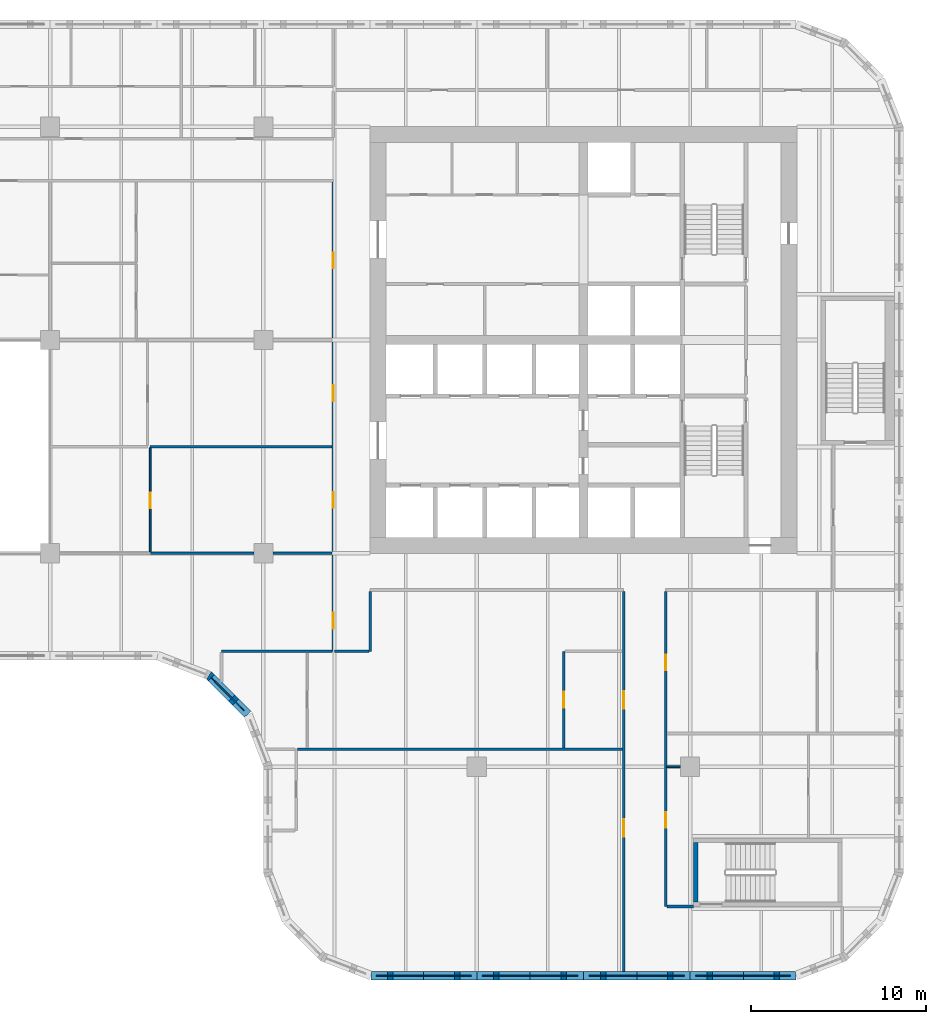
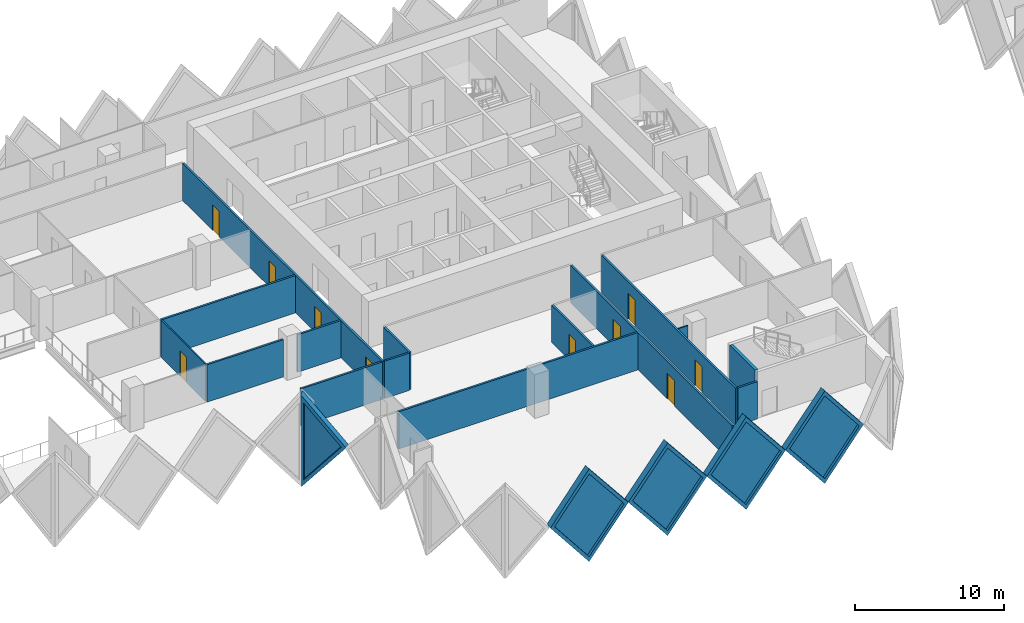
# One storey, part 5 of 18: 20 walls, 10 doors, 5 plates, 15 openings.
"""IFC4 building model written with IfcOpenShell, lengths in metres."""

import ifcopenshell
import ifcopenshell.guid

model = None  # the IFC model being written
_history = None  # IfcOwnerHistory: only IFC2X3 demands one
_inside = {}  # id of a spatial element -> (the spatial element, [elements in it])
_under = {}  # id of a project, library or spatial element -> (it, [spatial elements below it])
_declared = {}  # id of a project -> (the project, [libraries it declares])
_typed = {}  # id of a type object -> (the type object, [elements of that type])
_made_of = {}  # id of a material, layer set ... -> (it, [elements and type objects made of it])


def new_model(schema):
    """Start an empty IFC model of exactly this schema.

    Asked for "IFC4X3", IfcOpenShell would pick the latest addendum, in which some entities
    have other attributes; the version numbers below select the first issue.
    IFC2X3 requires an IfcOwnerHistory on every rooted entity: one is made here for all.
    """
    global model, _history
    if schema == "IFC4X3":
        model = ifcopenshell.file(schema_version=(4, 3, 0, 0))
    else:
        model = ifcopenshell.file(schema=schema)
    _inside.clear()
    _under.clear()
    _declared.clear()
    _typed.clear()
    _made_of.clear()
    _history = None
    if model.schema == "IFC2X3":
        org = make("IfcOrganization", Name="unknown")
        user = make(
            "IfcPersonAndOrganization",
            ThePerson=make("IfcPerson", FamilyName="unknown"),
            TheOrganization=org,
        )
        app = make(
            "IfcApplication",
            ApplicationDeveloper=org,
            Version="unknown",
            ApplicationFullName="unknown",
            ApplicationIdentifier="unknown",
        )
        _history = make(
            "IfcOwnerHistory",
            OwningUser=user,
            OwningApplication=app,
            ChangeAction="ADDED",
            CreationDate=0,
        )
    return model


def make(cls, **values):
    """One entity of the class cls with the attributes given. An attribute that is None is left unset."""
    return model.create_entity(
        cls, **{name: value for name, value in values.items() if value is not None}
    )


def rooted(cls, **values):
    """An entity with a GlobalId (a new one), such as an element, a storey or a relation."""
    return make(cls, GlobalId=ifcopenshell.guid.new(), OwnerHistory=_history, **values)


def si_unit(unit_type, name, prefix=None):
    """IfcSIUnit, for example si_unit("LENGTHUNIT", "METRE", prefix="MILLI")."""
    return make("IfcSIUnit", UnitType=unit_type, Prefix=prefix, Name=name)


def assignment(units):
    """IfcUnitAssignment: the units of a project."""
    return None if units is None else make("IfcUnitAssignment", Units=units)


def point(xyz):
    """IfcCartesianPoint."""
    return None if xyz is None else make("IfcCartesianPoint", Coordinates=xyz)


def direction(xyz):
    """IfcDirection."""
    return None if xyz is None else make("IfcDirection", DirectionRatios=xyz)


def frame(location, z_axis=None, x_axis=None):
    """IfcAxis2Placement3D, a coordinate frame: its origin and axes. An axis left out is left unset."""
    return make(
        "IfcAxis2Placement3D",
        Location=point(location),
        Axis=direction(z_axis),
        RefDirection=direction(x_axis),
    )


def frame_2d(location, x_axis=None):
    """IfcAxis2Placement2D, a coordinate frame in the plane: its origin and x axis."""
    return make(
        "IfcAxis2Placement2D", Location=point(location), RefDirection=direction(x_axis)
    )


def origin():
    """The frame at (0, 0, 0) with its axes left unset."""
    return frame((0.0, 0.0, 0.0))


def place(relative_to, where):
    """IfcLocalPlacement: puts the frame where relative to a parent placement (None: the world)."""
    return make(
        "IfcLocalPlacement", PlacementRelTo=relative_to, RelativePlacement=where
    )


def context(
    kind, dimensions, precision=None, world=None, true_north=None, identifier=None
):
    """IfcGeometricRepresentationContext, for example the 3D "Model" context."""
    return make(
        "IfcGeometricRepresentationContext",
        ContextIdentifier=identifier,
        ContextType=kind,
        CoordinateSpaceDimension=dimensions,
        Precision=precision,
        WorldCoordinateSystem=world,
        TrueNorth=true_north,
    )


def subcontext(parent, identifier, kind, view, scale=None):
    """IfcGeometricRepresentationSubContext, for example "Body" below "Model"."""
    return make(
        "IfcGeometricRepresentationSubContext",
        ContextIdentifier=identifier,
        ContextType=kind,
        ParentContext=parent,
        TargetScale=scale,
        TargetView=view,
    )


def project(units=None, contexts=None):
    """IfcProject with its units and contexts."""
    return rooted(
        "IfcProject",
        Name="project",
        RepresentationContexts=contexts,
        UnitsInContext=assignment(units),
    )


def spatial(cls, under=None, at=None, **own):
    """A site, building, storey or space (cls), placed at a placement, below another one or the project."""
    s = rooted(cls, ObjectPlacement=at, **own)
    if under is not None:
        _under.setdefault(under.id(), (under, []))[1].append(s)
    return s


def polyline(points):
    """IfcPolyline through the points."""
    return make("IfcPolyline", Points=[point(p) for p in points])


def profile(cls, at=None, kind="AREA", **sizes):
    """A parametric profile (cls). Its sizes go by their IFC names, for example OverallWidth=200.0."""
    return make(cls, ProfileType=kind, Position=at, **sizes)


def rectangle(**sizes):
    """IfcRectangleProfileDef."""
    return profile("IfcRectangleProfileDef", **sizes)


def outline(outer, holes=None, kind="AREA"):
    """IfcArbitraryClosedProfileDef: a profile drawn as a closed curve; with holes, ...WithVoids."""
    if holes is None:
        return make("IfcArbitraryClosedProfileDef", ProfileType=kind, OuterCurve=outer)
    return make(
        "IfcArbitraryProfileDefWithVoids",
        ProfileType=kind,
        OuterCurve=outer,
        InnerCurves=holes,
    )


def extrude(swept, where, along, depth):
    """IfcExtrudedAreaSolid: the profile swept, set in the frame where, extruded along a direction by depth."""
    return make(
        "IfcExtrudedAreaSolid",
        SweptArea=swept,
        Position=where,
        ExtrudedDirection=direction(along),
        Depth=depth,
    )


def faces_of(points, faces, orient=None, outer=None):
    """IfcFace entities. A face is a list of loops; a loop is a list of indices into points, from 0.

    orient and outer hold one flag for each loop. By default every Orientation is true, the
    first loop of a face is its IfcFaceOuterBound and the others are IfcFaceBound.
    """
    made = []
    for i, loops in enumerate(faces):
        bounds = []
        for j, loop in enumerate(loops):
            is_outer = j == 0 if outer is None else outer[i][j]
            bounds.append(
                make(
                    "IfcFaceOuterBound" if is_outer else "IfcFaceBound",
                    Bound=make("IfcPolyLoop", Polygon=[points[k] for k in loop]),
                    Orientation=True if orient is None else orient[i][j],
                )
            )
        made.append(make("IfcFace", Bounds=bounds))
    return made


def faceted_brep(points, faces, orient=None, outer=None, voids=None):
    """IfcFacetedBrep: a solid bounded by flat faces; with voids (closed shells), ...WithVoids."""
    shared = [point(p) for p in points]
    hull = make("IfcClosedShell", CfsFaces=faces_of(shared, faces, orient, outer))
    if voids is None:
        return make("IfcFacetedBrep", Outer=hull)
    return make(
        "IfcFacetedBrepWithVoids",
        Outer=hull,
        Voids=[
            make(cls, CfsFaces=faces_of(shared, fs, o, b)) for cls, fs, o, b in voids
        ],
    )


def shape(context_of_items, identifier, shape_type, items):
    """IfcShapeRepresentation: the items that make up one representation, for example the "Body"."""
    return make(
        "IfcShapeRepresentation",
        ContextOfItems=context_of_items,
        RepresentationIdentifier=identifier,
        RepresentationType=shape_type,
        Items=items,
    )


def source(mapping_origin, context_of_items, identifier, shape_type, items):
    """IfcRepresentationMap: a shape defined once, which mapped items show again and again."""
    return make(
        "IfcRepresentationMap",
        MappingOrigin=mapping_origin,
        MappedRepresentation=shape(context_of_items, identifier, shape_type, items),
    )


def transform(
    local_origin,
    x_axis=None,
    y_axis=None,
    z_axis=None,
    scale=None,
    scale2=None,
    scale3=None,
    uniform=True,
):
    """IfcCartesianTransformationOperator3D, or its non-uniform kind. x_axis, y_axis, z_axis: its Axis1, 2, 3."""
    if uniform:
        return make(
            "IfcCartesianTransformationOperator3D",
            Axis1=direction(x_axis),
            Axis2=direction(y_axis),
            LocalOrigin=point(local_origin),
            Scale=scale,
            Axis3=direction(z_axis),
        )
    return make(
        "IfcCartesianTransformationOperator3DnonUniform",
        Axis1=direction(x_axis),
        Axis2=direction(y_axis),
        LocalOrigin=point(local_origin),
        Scale=scale,
        Axis3=direction(z_axis),
        Scale2=scale2,
        Scale3=scale3,
    )


def mapped(mapping_source, mapping_target):
    """IfcMappedItem: shows the shape of a source again, moved by a transform."""
    return make(
        "IfcMappedItem", MappingSource=mapping_source, MappingTarget=mapping_target
    )


def material(Name=None, Category=None):
    """IfcMaterial."""
    return make("IfcMaterial", Name=Name, Category=Category)


def layer(
    of_material, thickness, ventilated=None, Name=None, Category=None, Priority=None
):
    """IfcMaterialLayer: one layer of a wall or slab, of a material (None: an air gap)."""
    return make(
        "IfcMaterialLayer",
        Material=of_material,
        LayerThickness=thickness,
        IsVentilated=ventilated,
        Name=Name,
        Category=Category,
        Priority=Priority,
    )


def layer_set(layers, Name=None):
    """IfcMaterialLayerSet."""
    return make("IfcMaterialLayerSet", MaterialLayers=layers, LayerSetName=Name)


def made_of(thing, what):
    """Note that an element or type object is made of a material, layer set ...; save() writes the relation."""
    if what is not None:
        _made_of.setdefault(what.id(), (what, []))[1].append(thing)
    return thing


def type_object(cls, material=None, **own):
    """A type object (cls), such as IfcWallType, which elements share."""
    return made_of(rooted(cls, **own), material)


def element(
    cls,
    number,
    at=None,
    inside=None,
    cuts=None,
    type_object=None,
    material=None,
    context=None,
    identifier="Body",
    shape_type=None,
    held_by="IfcProductDefinitionShape",
    body=None,
    shapes=None,
    **own,
):
    """One element of the class cls, such as IfcWall. Its Tag is "e" and its number.

    at: its placement. inside: the storey or other place that contains it. cuts: it is an
    opening in that element (IfcRelVoidsElement). A single representation is given by context,
    identifier, shape_type and body (its items); several are given by shapes. held_by: the class
    of the entity that holds the representations. save() writes the other relations.
    """
    e = rooted(cls, Tag="e%d" % number, ObjectPlacement=at, **own)
    if body is not None:
        shapes = [shape(context, identifier, shape_type, body)]
    if shapes is not None:
        e.Representation = make(held_by, Representations=shapes)
    if inside is not None:
        _inside.setdefault(inside.id(), (inside, []))[1].append(e)
    if cuts is not None:
        rooted(
            "IfcRelVoidsElement", RelatingBuildingElement=cuts, RelatedOpeningElement=e
        )
    if type_object is not None:
        _typed.setdefault(type_object.id(), (type_object, []))[1].append(e)
    return made_of(e, material)


def fill(opening, filler):
    """IfcRelFillsElement: the door or window that sits in an opening."""
    return rooted(
        "IfcRelFillsElement",
        RelatingOpeningElement=opening,
        RelatedBuildingElement=filler,
    )


def aggregate(whole, parts):
    """IfcRelAggregates: a whole, such as a stair, and the parts it consists of."""
    return rooted("IfcRelAggregates", RelatingObject=whole, RelatedObjects=parts)


def save(model, path):
    """Write the relations noted so far, then the file.

    IfcRelAggregates (storeys below a building ...), IfcRelContainedInSpatialStructure (elements
    in a storey), IfcRelDefinesByType, IfcRelAssociatesMaterial and IfcRelDeclares: one each for
    every whole, place, type object, material and project.
    """
    for whole, parts in _under.values():
        aggregate(whole, parts)
    for where, things in _inside.values():
        rooted(
            "IfcRelContainedInSpatialStructure",
            RelatedElements=things,
            RelatingStructure=where,
        )
    for kind, things in _typed.values():
        rooted("IfcRelDefinesByType", RelatedObjects=things, RelatingType=kind)
    for what, things in _made_of.values():
        rooted("IfcRelAssociatesMaterial", RelatedObjects=things, RelatingMaterial=what)
    for by, libraries in _declared.values():
        rooted("IfcRelDeclares", RelatingContext=by, RelatedDefinitions=libraries)
    model.write(path)


model = new_model("IFC4")

# Units and contexts
model_context = context("Model", 3, precision=1e-05, world=origin(), true_north=direction((0.0, 1.0)))
body_context = subcontext(model_context, "Body", "Model", "MODEL_VIEW")
ifc_project = project(units=[si_unit("LENGTHUNIT", "METRE"), si_unit("AREAUNIT", "SQUARE_METRE"), si_unit("VOLUMEUNIT", "CUBIC_METRE"), si_unit("PLANEANGLEUNIT", "RADIAN"), si_unit("MASSUNIT", "GRAM", prefix="KILO")], contexts=[model_context])

# Site, building, storey
site_placement = place(None, origin())
site = spatial("IfcSite", under=ifc_project, at=site_placement, CompositionType="ELEMENT")
building_placement = place(site_placement, origin())
building = spatial("IfcBuilding", under=site, at=building_placement, Name="Tessera Gate Towers", CompositionType="ELEMENT")
storey_placement = place(building_placement, frame((0.0, 0.0, 37.199951171875)))
storey = spatial("IfcBuildingStorey", under=building, at=storey_placement, Name="L08", CompositionType="ELEMENT", Elevation=37.199951171875)

# Wall
ifc_material_1 = material(Name="Concrete C40/50", Category="concrete")
ifc_layer_1 = layer(ifc_material_1, 0.25)
ifc_layer_set_1 = layer_set([ifc_layer_1], Name="CORE ENCLOSURE WALL 250")
wall_type_1 = type_object("IfcWallType", Name="CORE ENCLOSURE WALL 250", PredefinedType="SOLIDWALL", material=ifc_layer_set_1)
wall_1_placement = place(storey_placement, frame((49.125, 4.449951171875, 0.0), z_axis=(0.0, 0.0, 1.0), x_axis=(0.0, 1.0, 0.0)))
element("IfcWall", 1, at=wall_1_placement, inside=storey, type_object=wall_type_1, Name="L08 ST4 enclosure wall", PredefinedType="SOLIDWALL", context=body_context, shape_type="SweptSolid", body=[
    extrude(rectangle(XDim=3.400146484375, YDim=0.25, at=frame_2d((1.7001953125, 0.0))), origin(), (0.0, 0.0, 1.0), 3.800048828125),
])

# Wall, openings, doors
ifc_material_2 = material(Name="Gypsum board on steel studs, mineral wool", Category="steel")
ifc_layer_2 = layer(ifc_material_2, 0.14990234375)
ifc_layer_set_2 = layer_set([ifc_layer_2], Name="CORRIDOR WALL 150")
wall_type_2 = type_object("IfcWallType", Name="CORRIDOR WALL 150", PredefinedType="PARTITIONING", material=ifc_layer_set_2)
wall_2_placement = place(storey_placement, frame((45.0, 0.5, 0.0), z_axis=(0.0, 0.0, 1.0), x_axis=(0.0, 1.0, 0.0)))
wall_2 = element("IfcWall", 2, at=wall_2_placement, inside=storey, type_object=wall_type_2, Name="T1-L08-PW-001", PredefinedType="PARTITIONING", context=body_context, shape_type="SweptSolid", body=[
    extrude(rectangle(XDim=21.72412109375, YDim=0.14990234375, at=frame_2d((10.862060546875, 0.0))), origin(), (0.0, 0.0, 1.0), 3.067138671875),
])
shared_shape_1 = source(origin(), body_context, "Body", "SweptSolid", [
    extrude(rectangle(XDim=1.0, YDim=2.10009765625, at=frame_2d((0.5, 1.050048828125))), frame((0.0, 0.0849609375, 0.0), z_axis=(0.0, -1.0, 0.0), x_axis=(1.0, 0.0, 0.0)), (0.0, 0.0, 1.0), 0.169921875),
])
opening_1_placement = place(wall_2_placement, frame((15.0009765625, 0.0, 0.0)))
opening_1 = element("IfcOpeningElement", 3, at=opening_1_placement, cuts=wall_2, Name="Opening D2100FD60-A03-01", PredefinedType="OPENING", context=body_context, shape_type="MappedRepresentation", body=[
    mapped(shared_shape_1, transform((0.0, 0.0, 0.0), scale=1.0)),
])
opening_2_placement = place(wall_2_placement, frame((7.699951171875, 0.0, 0.0)))
opening_2 = element("IfcOpeningElement", 4, at=opening_2_placement, cuts=wall_2, Name="Opening D2100FD60-A03-02", PredefinedType="OPENING", context=body_context, shape_type="MappedRepresentation", body=[
    mapped(shared_shape_1, transform((0.0, 0.0, 0.0), scale=1.0)),
])
ifc_material_3 = material(Name="Timber door leaf in steel frame", Category="steel")
door_type_1 = type_object("IfcDoorType", Name="TENANCY ENTRANCE DOOR 1000 FD60", OperationType="NOTDEFINED", PredefinedType="DOOR", material=ifc_material_3)
shared_shape_2 = source(origin(), body_context, "Body", "SweptSolid", [
    extrude(rectangle(XDim=1.0, YDim=2.10009765625, at=frame_2d((0.5, 1.050048828125))), frame((0.0, 0.02490234375, 0.0), z_axis=(0.0, -1.0, 0.0), x_axis=(1.0, 0.0, 0.0)), (0.0, 0.0, 1.0), 0.050048828125),
])
door_1_placement = place(opening_1_placement, origin())
door_1 = element("IfcDoor", 5, at=door_1_placement, inside=storey, type_object=door_type_1, Name="T1-L08-PD-010", OperationType="SINGLE_SWING_LEFT", OverallHeight=2.10009765625, OverallWidth=1.0, PredefinedType="DOOR", context=body_context, shape_type="MappedRepresentation", body=[
    mapped(shared_shape_2, transform((0.0, 0.0, 0.0), scale=1.0)),
])
fill(opening_1, door_1)
door_2_placement = place(opening_2_placement, origin())
door_2 = element("IfcDoor", 6, at=door_2_placement, inside=storey, type_object=door_type_1, Name="T1-L08-PD-024", OperationType="SINGLE_SWING_LEFT", OverallHeight=2.10009765625, OverallWidth=1.0, PredefinedType="DOOR", context=body_context, shape_type="MappedRepresentation", body=[
    mapped(shared_shape_2, transform((0.0, 0.0, 0.0), scale=1.0)),
])
fill(opening_2, door_2)

wall_3_placement = place(storey_placement, frame((47.39990234375, 22.22412109375, 0.0), z_axis=(0.0, 0.0, 1.0), x_axis=(0.0, -1.0, 0.0)))
wall_3 = element("IfcWall", 7, at=wall_3_placement, inside=storey, type_object=wall_type_2, Name="T1-L08-PW-003", PredefinedType="PARTITIONING", context=body_context, shape_type="SweptSolid", body=[
    extrude(rectangle(XDim=18.024169921875, YDim=0.14990234375, at=frame_2d((9.01220703125, 0.0))), origin(), (0.0, 0.0, 1.0), 3.067138671875),
])
shared_shape_3 = source(origin(), body_context, "Body", "SweptSolid", [
    extrude(rectangle(XDim=0.89990234375, YDim=2.10009765625, at=frame_2d((0.449951171875, 1.050048828125))), frame((0.0, 0.0849609375, 0.0), z_axis=(0.0, -1.0, 0.0), x_axis=(1.0, 0.0, 0.0)), (0.0, 0.0, 1.0), 0.169921875),
])
opening_3_placement = place(wall_3_placement, frame((3.623046875, 0.0, 0.0)))
opening_3 = element("IfcOpeningElement", 8, at=opening_3_placement, cuts=wall_3, Name="Opening D890FD60-A03-05", PredefinedType="OPENING", context=body_context, shape_type="MappedRepresentation", body=[
    mapped(shared_shape_3, transform((0.0, 0.0, 0.0), scale=1.0)),
])
opening_4_placement = place(wall_3_placement, frame((12.6240234375, 0.0, 0.0)))
opening_4 = element("IfcOpeningElement", 9, at=opening_4_placement, cuts=wall_3, Name="Opening D890FD60-A03-10", PredefinedType="OPENING", context=body_context, shape_type="MappedRepresentation", body=[
    mapped(shared_shape_3, transform((0.0, 0.0, 0.0), scale=1.0)),
])
ifc_material_4 = material(Name="Timber door leaf in steel frame", Category="steel")
door_type_2 = type_object("IfcDoorType", Name="CORRIDOR DOOR 900 FD60", OperationType="NOTDEFINED", PredefinedType="DOOR", material=ifc_material_4)
shared_shape_4 = source(origin(), body_context, "Body", "SweptSolid", [
    extrude(rectangle(XDim=0.89990234375, YDim=2.10009765625, at=frame_2d((0.449951171875, 1.050048828125))), frame((0.0, 0.02490234375, 0.0), z_axis=(0.0, -1.0, 0.0), x_axis=(1.0, 0.0, 0.0)), (0.0, 0.0, 1.0), 0.050048828125),
])
door_3_placement = place(opening_3_placement, origin())
door_3 = element("IfcDoor", 10, at=door_3_placement, inside=storey, type_object=door_type_2, Name="T1-L08-PD-020", OperationType="SINGLE_SWING_RIGHT", OverallHeight=2.10009765625, OverallWidth=0.89990234375, PredefinedType="DOOR", context=body_context, shape_type="MappedRepresentation", body=[
    mapped(shared_shape_4, transform((0.0, 0.0, 0.0), scale=1.0)),
])
fill(opening_3, door_3)
door_4_placement = place(opening_4_placement, origin())
door_4 = element("IfcDoor", 11, at=door_4_placement, inside=storey, type_object=door_type_2, Name="T1-L08-PD-027", OperationType="SINGLE_SWING_RIGHT", OverallHeight=2.10009765625, OverallWidth=0.89990234375, PredefinedType="DOOR", context=body_context, shape_type="MappedRepresentation", body=[
    mapped(shared_shape_4, transform((0.0, 0.0, 0.0), scale=1.0)),
])
fill(opening_4, door_4)

# Wall
wall_4_placement = place(storey_placement, frame((47.47607421875, 4.199951171875, 0.0), z_axis=(0.0, 0.0, 1.0), x_axis=(1.0, 0.0, 0.0)))
element("IfcWall", 12, at=wall_4_placement, inside=storey, type_object=wall_type_2, Name="T1-L08-PW-004", PredefinedType="PARTITIONING", context=body_context, shape_type="SweptSolid", body=[
    extrude(rectangle(XDim=1.52392578125, YDim=0.14990234375, at=frame_2d((0.761962890625, 0.0))), origin(), (0.0, 0.0, 1.0), 3.067138671875),
])

# Wall, openings, doors
wall_5_placement = place(storey_placement, frame((28.39990234375, 18.800048828125, 0.0), z_axis=(0.0, 0.0, 1.0), x_axis=(0.0, 1.0, 0.0)))
wall_5 = element("IfcWall", 13, at=wall_5_placement, inside=storey, type_object=wall_type_2, Name="T1-L08-PW-017", PredefinedType="PARTITIONING", context=body_context, shape_type="SweptSolid", body=[
    extrude(rectangle(XDim=26.823974609375, YDim=0.14990234375, at=frame_2d((13.412109375, 0.0))), origin(), (0.0, 0.0, 1.0), 3.067138671875),
])
opening_5_placement = place(wall_5_placement, frame((1.300048828125, 0.0, 0.0)))
opening_5 = element("IfcOpeningElement", 14, at=opening_5_placement, cuts=wall_5, Name="Opening D890FD60-A03-01", PredefinedType="OPENING", context=body_context, shape_type="MappedRepresentation", body=[
    mapped(shared_shape_3, transform((0.0, 0.0, 0.0), scale=1.0)),
])
opening_6_placement = place(wall_5_placement, frame((14.301025390625, 0.0, 0.0)))
opening_6 = element("IfcOpeningElement", 15, at=opening_6_placement, cuts=wall_5, Name="Opening D890FD60-A03-03", PredefinedType="OPENING", context=body_context, shape_type="MappedRepresentation", body=[
    mapped(shared_shape_3, transform((0.0, 0.0, 0.0), scale=1.0)),
])
opening_7_placement = place(wall_5_placement, frame((8.199951171875, 0.0, 0.0)))
opening_7 = element("IfcOpeningElement", 16, at=opening_7_placement, cuts=wall_5, Name="Opening D890FD60-A03-04", PredefinedType="OPENING", context=body_context, shape_type="MappedRepresentation", body=[
    mapped(shared_shape_3, transform((0.0, 0.0, 0.0), scale=1.0)),
])
opening_8_placement = place(wall_5_placement, frame((21.89990234375, 0.0, 0.0)))
opening_8 = element("IfcOpeningElement", 17, at=opening_8_placement, cuts=wall_5, Name="Opening D890FD60-A03-08", PredefinedType="OPENING", context=body_context, shape_type="MappedRepresentation", body=[
    mapped(shared_shape_3, transform((0.0, 0.0, 0.0), scale=1.0)),
])
door_5_placement = place(opening_5_placement, origin())
door_5 = element("IfcDoor", 18, at=door_5_placement, inside=storey, type_object=door_type_2, Name="T1-L08-PD-001", OperationType="SINGLE_SWING_LEFT", OverallHeight=2.10009765625, OverallWidth=0.89990234375, PredefinedType="DOOR", context=body_context, shape_type="MappedRepresentation", body=[
    mapped(shared_shape_4, transform((0.0, 0.0, 0.0), scale=1.0)),
])
fill(opening_5, door_5)
door_6_placement = place(opening_6_placement, origin())
door_6 = element("IfcDoor", 19, at=door_6_placement, inside=storey, type_object=door_type_2, Name="T1-L08-PD-016", OperationType="SINGLE_SWING_LEFT", OverallHeight=2.10009765625, OverallWidth=0.89990234375, PredefinedType="DOOR", context=body_context, shape_type="MappedRepresentation", body=[
    mapped(shared_shape_4, transform((0.0, 0.0, 0.0), scale=1.0)),
])
fill(opening_6, door_6)
door_7_placement = place(opening_7_placement, origin())
door_7 = element("IfcDoor", 20, at=door_7_placement, inside=storey, type_object=door_type_2, Name="T1-L08-PD-017", OperationType="SINGLE_SWING_LEFT", OverallHeight=2.10009765625, OverallWidth=0.89990234375, PredefinedType="DOOR", context=body_context, shape_type="MappedRepresentation", body=[
    mapped(shared_shape_4, transform((0.0, 0.0, 0.0), scale=1.0)),
])
fill(opening_7, door_7)
door_8_placement = place(opening_8_placement, origin())
door_8 = element("IfcDoor", 21, at=door_8_placement, inside=storey, type_object=door_type_2, Name="T1-L08-PD-025", OperationType="SINGLE_SWING_LEFT", OverallHeight=2.10009765625, OverallWidth=0.89990234375, PredefinedType="DOOR", context=body_context, shape_type="MappedRepresentation", body=[
    mapped(shared_shape_4, transform((0.0, 0.0, 0.0), scale=1.0)),
])
fill(opening_8, door_8)

# Walls
wall_6_placement = place(storey_placement, frame((28.47607421875, 18.800048828125, 0.0), z_axis=(0.0, 0.0, 1.0), x_axis=(1.0, 0.0, 0.0)))
element("IfcWall", 22, at=wall_6_placement, inside=storey, type_object=wall_type_2, Name="T1-L08-PW-018", PredefinedType="PARTITIONING", context=body_context, shape_type="SweptSolid", body=[
    extrude(rectangle(XDim=1.947998046875, YDim=0.14990234375, at=frame_2d((0.97412109375, 0.0))), origin(), (0.0, 0.0, 1.0), 3.067138671875),
])
wall_7_placement = place(storey_placement, frame((30.5, 18.800048828125, 0.0), z_axis=(0.0, 0.0, 1.0), x_axis=(0.0, 1.0, 0.0)))
element("IfcWall", 23, at=wall_7_placement, inside=storey, type_object=wall_type_2, Name="T1-L08-PW-019", PredefinedType="PARTITIONING", context=body_context, shape_type="SweptSolid", body=[
    extrude(rectangle(XDim=3.424072265625, YDim=0.14990234375, at=frame_2d((1.7119140625, 0.0))), origin(), (0.0, 0.0, 1.0), 3.067138671875),
])

# Wall, opening, door
ifc_material_5 = material(Name="Glass", Category="glass")
ifc_layer_3 = layer(ifc_material_5, 0.10009765625)
ifc_layer_set_3 = layer_set([ifc_layer_3], Name="GLAZED PARTITION 100")
wall_type_3 = type_object("IfcWallType", Name="GLAZED PARTITION 100", PredefinedType="PARTITIONING", material=ifc_layer_set_3)
wall_8_placement = place(storey_placement, frame((17.925048828125, 24.47607421875, 0.0), z_axis=(0.0, 0.0, 1.0), x_axis=(0.0, 1.0, 0.0)))
wall_8 = element("IfcWall", 24, at=wall_8_placement, inside=storey, type_object=wall_type_3, Name="T1-L08-PW-029", PredefinedType="PARTITIONING", context=body_context, shape_type="SweptSolid", body=[
    extrude(rectangle(XDim=5.947998046875, YDim=0.10009765625, at=frame_2d((2.97412109375, 0.0))), origin(), (0.0, 0.0, 1.0), 3.067138671875),
])
shared_shape_5 = source(origin(), body_context, "Body", "SweptSolid", [
    extrude(rectangle(XDim=0.89990234375, YDim=2.10009765625, at=frame_2d((0.449951171875, 1.050048828125))), frame((0.0, 0.06005859375, 0.0), z_axis=(0.0, -1.0, 0.0), x_axis=(1.0, 0.0, 0.0)), (0.0, 0.0, 1.0), 0.1201171875),
])
opening_9_placement = place(wall_8_placement, frame((2.5, 0.0, 0.0)))
opening_9 = element("IfcOpeningElement", 25, at=opening_9_placement, cuts=wall_8, Name="Opening D690-A03-02", PredefinedType="OPENING", context=body_context, shape_type="MappedRepresentation", body=[
    mapped(shared_shape_5, transform((0.0, 0.0, 0.0), scale=1.0)),
])
ifc_material_6 = material(Name="Glass in aluminium frame", Category="aluminium")
door_type_3 = type_object("IfcDoorType", Name="GLAZED DOOR 900 NOT RATED", OperationType="NOTDEFINED", PredefinedType="DOOR", material=ifc_material_6)
door_9_placement = place(opening_9_placement, origin())
door_9 = element("IfcDoor", 26, at=door_9_placement, inside=storey, type_object=door_type_3, Name="T1-L08-PD-013", OperationType="SINGLE_SWING_LEFT", OverallHeight=2.10009765625, OverallWidth=0.89990234375, PredefinedType="DOOR", context=body_context, shape_type="MappedRepresentation", body=[
    mapped(shared_shape_4, transform((0.0, 0.0, 0.0), scale=1.0)),
])
fill(opening_9, door_9)

# Walls
ifc_material_7 = material(Name="Gypsum board on steel studs", Category="steel")
ifc_layer_4 = layer(ifc_material_7, 0.10009765625)
ifc_layer_set_4 = layer_set([ifc_layer_4], Name="PARTITION 100")
wall_type_4 = type_object("IfcWallType", Name="PARTITION 100", PredefinedType="PARTITIONING", material=ifc_layer_set_4)
wall_9_placement = place(storey_placement, frame((48.25, 12.199951171875, 0.0), z_axis=(0.0, 0.0, 1.0), x_axis=(-1.0, 0.0, 0.0)))
element("IfcWall", 27, at=wall_9_placement, inside=storey, type_object=wall_type_4, Name="T1-L08-PW-008", PredefinedType="PARTITIONING", context=body_context, shape_type="SweptSolid", body=[
    extrude(rectangle(XDim=0.77490234375, YDim=0.10009765625, at=frame_2d((0.387451171875, 0.0))), origin(), (0.0, 0.0, 1.0), 3.067138671875),
])
ifc_material_8 = material(Name="Gypsum board on steel studs, mineral wool", Category="steel")
ifc_layer_5 = layer(ifc_material_8, 0.14990234375)
ifc_layer_set_5 = layer_set([ifc_layer_5], Name="TENANCY WALL 150")
wall_type_5 = type_object("IfcWallType", Name="TENANCY WALL 150", PredefinedType="PARTITIONING", material=ifc_layer_set_5)
wall_10_placement = place(storey_placement, frame((26.35107421875, 13.199951171875, 0.0), z_axis=(0.0, 0.0, 1.0), x_axis=(1.0, 0.0, 0.0)))
element("IfcWall", 28, at=wall_10_placement, inside=storey, type_object=wall_type_5, Name="T1-L08-PW-010", PredefinedType="PARTITIONING", context=body_context, shape_type="SweptSolid", body=[
    extrude(rectangle(XDim=18.572998046875, YDim=0.14990234375, at=frame_2d((9.28662109375, 0.0))), origin(), (0.0, 0.0, 1.0), 3.067138671875),
])

# Wall, opening, door
wall_11_placement = place(storey_placement, frame((41.574951171875, 13.27587890625, 0.0), z_axis=(0.0, 0.0, 1.0), x_axis=(0.0, 1.0, 0.0)))
wall_11 = element("IfcWall", 29, at=wall_11_placement, inside=storey, type_object=wall_type_5, Name="T1-L08-PW-012", PredefinedType="PARTITIONING", context=body_context, shape_type="SweptSolid", body=[
    extrude(rectangle(XDim=5.524169921875, YDim=0.14990234375, at=frame_2d((2.76220703125, 0.0))), origin(), (0.0, 0.0, 1.0), 3.067138671875),
])
opening_10_placement = place(wall_11_placement, frame((2.300048828125, 0.0, 0.0)))
opening_10 = element("IfcOpeningElement", 30, at=opening_10_placement, cuts=wall_11, Name="Opening D190-A03-11", PredefinedType="OPENING", context=body_context, shape_type="MappedRepresentation", body=[
    mapped(shared_shape_3, transform((0.0, 0.0, 0.0), scale=1.0)),
])
ifc_material_9 = material(Name="Timber door leaf in steel frame", Category="steel")
door_type_4 = type_object("IfcDoorType", Name="INTERNAL DOOR 900 NOT RATED", OperationType="NOTDEFINED", PredefinedType="DOOR", material=ifc_material_9)
door_10_placement = place(opening_10_placement, origin())
door_10 = element("IfcDoor", 31, at=door_10_placement, inside=storey, type_object=door_type_4, Name="T1-L08-PD-023", OperationType="SINGLE_SWING_LEFT", OverallHeight=2.10009765625, OverallWidth=0.89990234375, PredefinedType="DOOR", context=body_context, shape_type="MappedRepresentation", body=[
    mapped(shared_shape_4, transform((0.0, 0.0, 0.0), scale=1.0)),
])
fill(opening_10, door_10)

# Walls
wall_12_placement = place(storey_placement, frame((22.0, 18.800048828125, 0.0), z_axis=(0.0, 0.0, 1.0), x_axis=(1.0, 0.0, 0.0)))
element("IfcWall", 32, at=wall_12_placement, inside=storey, type_object=wall_type_5, Name="T1-L08-PW-016", PredefinedType="PARTITIONING", context=body_context, shape_type="SweptSolid", body=[
    extrude(rectangle(XDim=6.323974609375, YDim=0.14990234375, at=frame_2d((3.162109375, 0.0))), origin(), (0.0, 0.0, 1.0), 3.067138671875),
])
wall_13_placement = place(storey_placement, frame((17.925048828125, 24.39990234375, 0.0), z_axis=(0.0, 0.0, 1.0), x_axis=(1.0, 0.0, 0.0)))
element("IfcWall", 33, at=wall_13_placement, inside=storey, type_object=wall_type_5, Name="T1-L08-PW-027", PredefinedType="PARTITIONING", context=body_context, shape_type="SweptSolid", body=[
    extrude(rectangle(XDim=5.924072265625, YDim=0.14990234375, at=frame_2d((2.9619140625, 0.0))), origin(), (0.0, 0.0, 1.0), 3.067138671875),
])
wall_14_placement = place(storey_placement, frame((24.950927734375, 24.39990234375, 0.0), z_axis=(0.0, 0.0, 1.0), x_axis=(1.0, 0.0, 0.0)))
element("IfcWall", 34, at=wall_14_placement, inside=storey, type_object=wall_type_5, Name="T1-L08-PW-028", PredefinedType="PARTITIONING", context=body_context, shape_type="SweptSolid", body=[
    extrude(rectangle(XDim=3.373046875, YDim=0.14990234375, at=frame_2d((1.6865234375, 0.0))), origin(), (0.0, 0.0, 1.0), 3.067138671875),
])
wall_15_placement = place(storey_placement, frame((17.925048828125, 30.5, 0.0), z_axis=(0.0, 0.0, 1.0), x_axis=(1.0, 0.0, 0.0)))
element("IfcWall", 35, at=wall_15_placement, inside=storey, type_object=wall_type_5, Name="T1-L08-PW-031", PredefinedType="PARTITIONING", context=body_context, shape_type="SweptSolid", body=[
    extrude(rectangle(XDim=10.39892578125, YDim=0.14990234375, at=frame_2d((5.199462890625, 0.0))), origin(), (0.0, 0.0, 1.0), 3.067138671875),
])

# Wall, opening, plate
ifc_material_10 = material(Name="Precast concrete C60/75 white", Category="concrete")
ifc_layer_6 = layer(ifc_material_10, 0.5)
ifc_layer_set_6 = layer_set([ifc_layer_6], Name="TS1 tessera")
wall_type_6 = type_object("IfcWallType", Name="TS1 tessera", PredefinedType="SOLIDWALL", material=ifc_layer_set_6)
shared_shape_6 = source(origin(), body_context, "Body", "Brep", [
    faceted_brep([(3.00341796875, -0.25, 0.0), (6.053466796875, -0.25, 3.800048828125), (3.00341796875, -0.25, 7.60009765625), (0.0, -0.25, 3.800048828125), (0.046630859375, 0.25, 3.85888671875), (3.00341796875, 0.25, 7.60009765625), (6.053466796875, 0.25, 3.800048828125), (3.00341796875, 0.25, 0.0), (0.046630859375, 0.25, 3.7412109375), (0.0, 0.0, 3.800048828125)], [[[0, 1, 2, 3]], [[4, 5, 6, 7, 8]], [[7, 6, 1, 0]], [[6, 5, 2, 1]], [[5, 4, 9, 3, 2]], [[8, 7, 0, 3, 9]], [[8, 9, 4]]]),
])
wall_16_placement = place(storey_placement, frame((30.546630859375, 0.25, -3.800048828125), z_axis=(0.0, 0.0, 1.0), x_axis=(1.0, 0.0, 0.0)))
wall_16 = element("IfcWall", 36, at=wall_16_placement, inside=storey, type_object=wall_type_6, Name="Precast tessera T1 TS1-0069", PredefinedType="SOLIDWALL", context=body_context, shape_type="MappedRepresentation", body=[
    mapped(shared_shape_6, transform((0.0, 0.0, 0.0), scale=1.0)),
])
shared_shape_7 = source(origin(), body_context, "Body", "SweptSolid", [
    extrude(outline(polyline([(3.0048828125, 0.4013671875), (5.73291015625, 3.800048828125), (3.0048828125, 7.19873046875), (0.318603515625, 3.800048828125), (3.0048828125, 0.4013671875)])), frame((0.0, 0.260009765625, 0.0), z_axis=(0.0, -1.0, 0.0), x_axis=(1.0, 0.0, 0.0)), (0.0, 0.0, 1.0), 0.52001953125),
])
opening_11_placement = place(wall_16_placement, origin())
opening_11 = element("IfcOpeningElement", 37, at=opening_11_placement, cuts=wall_16, Name="Opening T1-PL2-0141", PredefinedType="OPENING", context=body_context, shape_type="MappedRepresentation", body=[
    mapped(shared_shape_7, transform((0.0, 0.0, 0.0), scale=1.0)),
])
ifc_material_11 = material(Name="Low-e laminated glass", Category="glass")
ifc_layer_7 = layer(ifc_material_11, 0.06005859375)
ifc_layer_set_7 = layer_set([ifc_layer_7], Name="PL2 rhombic pane")
plate_type = type_object("IfcPlateType", Name="PL2 rhombic pane", PredefinedType="SHEET", material=ifc_layer_set_7)
shared_shape_8 = source(origin(), body_context, "Body", "SweptSolid", [
    extrude(outline(polyline([(3.0048828125, 0.4013671875), (5.73291015625, 3.800048828125), (3.0048828125, 7.19873046875), (0.318603515625, 3.800048828125), (3.0048828125, 0.4013671875)])), frame((0.0, 0.030029296875, 0.0), z_axis=(0.0, -1.0, 0.0), x_axis=(1.0, 0.0, 0.0)), (0.0, 0.0, 1.0), 0.06005859375),
])
plate_1_placement = place(opening_11_placement, origin())
plate_1 = element("IfcPlate", 38, at=plate_1_placement, inside=storey, type_object=plate_type, Name="Glass pane T1 PL2-0141", PredefinedType="SHEET", context=body_context, shape_type="MappedRepresentation", body=[
    mapped(shared_shape_8, transform((0.0, 0.0, 0.0), scale=1.0)),
])
fill(opening_11, plate_1)

shared_shape_9 = source(origin(), body_context, "Body", "Brep", [
    faceted_brep([(3.050048828125, -0.25, 0.0), (6.099853515625, -0.25, 3.7998046875), (6.099853515625, -0.25, 3.80029296875), (3.050048828125, -0.25, 7.60009765625), (0.0, -0.25, 3.800048828125), (0.0, 0.25, 3.800048828125), (3.050048828125, 0.25, 7.60009765625), (6.099853515625, 0.25, 3.80029296875), (6.099853515625, 0.25, 3.7998046875), (3.050048828125, 0.25, 0.0)], [[[0, 1, 2, 3, 4]], [[5, 6, 7, 8, 9]], [[9, 8, 1, 0]], [[7, 6, 3, 2]], [[6, 5, 4, 3]], [[5, 9, 0, 4]], [[1, 8, 7, 2]]]),
])
wall_17_placement = place(storey_placement, frame((36.60009765625, 0.25, -3.800048828125), z_axis=(0.0, 0.0, 1.0), x_axis=(1.0, 0.0, 0.0)))
wall_17 = element("IfcWall", 39, at=wall_17_placement, inside=storey, type_object=wall_type_6, Name="Precast tessera T1 TS1-0070", PredefinedType="SOLIDWALL", context=body_context, shape_type="MappedRepresentation", body=[
    mapped(shared_shape_9, transform((0.0, 0.0, 0.0), scale=1.0)),
])
shared_shape_10 = source(origin(), body_context, "Body", "SweptSolid", [
    extrude(outline(polyline([(3.050048828125, 0.3994140625), (5.779541015625, 3.800048828125), (3.050048828125, 7.20068359375), (0.320556640625, 3.800048828125), (3.050048828125, 0.3994140625)])), frame((0.0, 0.260009765625, 0.0), z_axis=(0.0, -1.0, 0.0), x_axis=(1.0, 0.0, 0.0)), (0.0, 0.0, 1.0), 0.52001953125),
])
opening_12_placement = place(wall_17_placement, origin())
opening_12 = element("IfcOpeningElement", 40, at=opening_12_placement, cuts=wall_17, Name="Opening T1-PL2-0142", PredefinedType="OPENING", context=body_context, shape_type="MappedRepresentation", body=[
    mapped(shared_shape_10, transform((0.0, 0.0, 0.0), scale=1.0)),
])
shared_shape_11 = source(origin(), body_context, "Body", "SweptSolid", [
    extrude(outline(polyline([(3.050048828125, 0.3994140625), (5.779541015625, 3.800048828125), (3.050048828125, 7.20068359375), (0.320556640625, 3.800048828125), (3.050048828125, 0.3994140625)])), frame((0.0, 0.030029296875, 0.0), z_axis=(0.0, -1.0, 0.0), x_axis=(1.0, 0.0, 0.0)), (0.0, 0.0, 1.0), 0.06005859375),
])
plate_2_placement = place(opening_12_placement, origin())
plate_2 = element("IfcPlate", 41, at=plate_2_placement, inside=storey, type_object=plate_type, Name="Glass pane T1 PL2-0142", PredefinedType="SHEET", context=body_context, shape_type="MappedRepresentation", body=[
    mapped(shared_shape_11, transform((0.0, 0.0, 0.0), scale=1.0)),
])
fill(opening_12, plate_2)

shared_shape_12 = source(origin(), body_context, "Body", "SweptSolid", [
    extrude(outline(polyline([(3.050048828125, 0.0), (6.10009765625, 3.800048828125), (3.050048828125, 7.60009765625), (0.0, 3.800048828125), (3.050048828125, 0.0)])), frame((0.0, 0.25, 0.0), z_axis=(0.0, -1.0, 0.0), x_axis=(1.0, 0.0, 0.0)), (0.0, 0.0, 1.0), 0.5),
])
wall_18_placement = place(storey_placement, frame((42.699951171875, 0.25, -3.800048828125), z_axis=(0.0, 0.0, 1.0), x_axis=(1.0, 0.0, 0.0)))
wall_18 = element("IfcWall", 42, at=wall_18_placement, inside=storey, type_object=wall_type_6, Name="Precast tessera T1 TS1-0071", PredefinedType="SOLIDWALL", context=body_context, shape_type="MappedRepresentation", body=[
    mapped(shared_shape_12, transform((0.0, 0.0, 0.0), scale=1.0)),
])
opening_13_placement = place(wall_18_placement, origin())
opening_13 = element("IfcOpeningElement", 43, at=opening_13_placement, cuts=wall_18, Name="Opening T1-PL2-0143", PredefinedType="OPENING", context=body_context, shape_type="MappedRepresentation", body=[
    mapped(shared_shape_10, transform((0.0, 0.0, 0.0), scale=1.0)),
])
plate_3_placement = place(opening_13_placement, origin())
plate_3 = element("IfcPlate", 44, at=plate_3_placement, inside=storey, type_object=plate_type, Name="Glass pane T1 PL2-0143", PredefinedType="SHEET", context=body_context, shape_type="MappedRepresentation", body=[
    mapped(shared_shape_11, transform((0.0, 0.0, 0.0), scale=1.0)),
])
fill(opening_13, plate_3)

shared_shape_13 = source(origin(), body_context, "Body", "Brep", [
    faceted_brep([(3.050048828125, -0.25, 0.0), (6.053466796875, -0.25, 3.800048828125), (3.050048828125, -0.25, 7.60009765625), (0.0, -0.25, 3.800048828125), (0.0, 0.25, 3.800048828125), (3.050048828125, 0.25, 7.60009765625), (6.0068359375, 0.25, 3.85888671875), (6.0068359375, 0.25, 3.7412109375), (3.050048828125, 0.25, 0.0), (6.053466796875, 0.0, 3.800048828125)], [[[0, 1, 2, 3]], [[4, 5, 6, 7, 8]], [[8, 7, 9, 1, 0]], [[6, 5, 2, 1, 9]], [[5, 4, 3, 2]], [[4, 8, 0, 3]], [[9, 7, 6]]]),
])
wall_19_placement = place(storey_placement, frame((48.800048828125, 0.25, -3.800048828125), z_axis=(0.0, 0.0, 1.0), x_axis=(1.0, 0.0, 0.0)))
wall_19 = element("IfcWall", 45, at=wall_19_placement, inside=storey, type_object=wall_type_6, Name="Precast tessera T1 TS1-0072", PredefinedType="SOLIDWALL", context=body_context, shape_type="MappedRepresentation", body=[
    mapped(shared_shape_13, transform((0.0, 0.0, 0.0), scale=1.0)),
])
shared_shape_14 = source(origin(), body_context, "Body", "SweptSolid", [
    extrude(outline(polyline([(3.048583984375, 0.4013671875), (5.73486328125, 3.800048828125), (3.048583984375, 7.19873046875), (0.320556640625, 3.800048828125), (3.048583984375, 0.4013671875)])), frame((0.0, 0.260009765625, 0.0), z_axis=(0.0, -1.0, 0.0), x_axis=(1.0, 0.0, 0.0)), (0.0, 0.0, 1.0), 0.52001953125),
])
opening_14_placement = place(wall_19_placement, origin())
opening_14 = element("IfcOpeningElement", 46, at=opening_14_placement, cuts=wall_19, Name="Opening T1-PL2-0144", PredefinedType="OPENING", context=body_context, shape_type="MappedRepresentation", body=[
    mapped(shared_shape_14, transform((0.0, 0.0, 0.0), scale=1.0)),
])
shared_shape_15 = source(origin(), body_context, "Body", "SweptSolid", [
    extrude(outline(polyline([(3.048583984375, 0.4013671875), (5.73486328125, 3.800048828125), (3.048583984375, 7.19873046875), (0.320556640625, 3.800048828125), (3.048583984375, 0.4013671875)])), frame((0.0, 0.030029296875, 0.0), z_axis=(0.0, -1.0, 0.0), x_axis=(1.0, 0.0, 0.0)), (0.0, 0.0, 1.0), 0.06005859375),
])
plate_4_placement = place(opening_14_placement, origin())
plate_4 = element("IfcPlate", 47, at=plate_4_placement, inside=storey, type_object=plate_type, Name="Glass pane T1 PL2-0144", PredefinedType="SHEET", context=body_context, shape_type="MappedRepresentation", body=[
    mapped(shared_shape_15, transform((0.0, 0.0, 0.0), scale=1.0)),
])
fill(opening_14, plate_4)

ifc_material_12 = material(Name="Precast concrete C60/75 white", Category="concrete")
ifc_layer_8 = layer(ifc_material_12, 0.5)
ifc_layer_set_8 = layer_set([ifc_layer_8], Name="TS3 corner tessera")
wall_type_7 = type_object("IfcWallType", Name="TS3 corner tessera", PredefinedType="SOLIDWALL", material=ifc_layer_set_8)
shared_shape_16 = source(origin(), body_context, "Body", "Brep", [
    faceted_brep([(0.10595703125, -0.25, 0.063720703125), (3.156005859375, -0.25, 3.736328125), (3.156005859375, -0.25, 3.86376953125), (0.10595703125, -0.25, 7.536376953125), (0.0, 0.25, 7.5361328125), (0.052978515625, 0.25, 7.60009765625), (3.208740234375, 0.25, 3.800048828125), (0.052978515625, 0.25, 0.0), (0.0, 0.25, 0.06396484375), (3.208740234375, -0.00048828125, 3.800048828125), (0.052978515625, 0.0, 0.0), (0.052978515625, 0.0, 7.60009765625)], [[[0, 1, 2, 3]], [[4, 5, 6, 7, 8]], [[7, 6, 9, 1, 0, 10]], [[6, 5, 11, 3, 2, 9]], [[5, 4, 11]], [[8, 7, 10]], [[8, 10, 0, 3, 11, 4]], [[1, 9, 2]]]),
])
wall_20_placement = place(storey_placement, frame((21.24755859375, 17.453857421875, -3.800048828125), z_axis=(0.0, 0.0, 1.0), x_axis=(0.707106781187, -0.707106781187, 0.0)))
wall_20 = element("IfcWall", 48, at=wall_20_placement, inside=storey, type_object=wall_type_7, Name="Precast corner tessera T1 TS3-0162", PredefinedType="SOLIDWALL", context=body_context, shape_type="MappedRepresentation", body=[
    mapped(shared_shape_16, transform((0.0, 0.0, 0.0), scale=1.0)),
])
shared_shape_17 = source(origin(), body_context, "Body", "SweptSolid", [
    extrude(outline(polyline([(0.2529296875, 0.63232421875), (2.8837890625, 3.800048828125), (0.2529296875, 6.968017578125), (0.2529296875, 0.63232421875)])), frame((0.0, 0.260009765625, 0.0), z_axis=(0.0, -1.0, 0.0), x_axis=(1.0, 0.0, 0.0)), (0.0, 0.0, 1.0), 0.52001953125),
])
opening_15_placement = place(wall_20_placement, origin())
opening_15 = element("IfcOpeningElement", 49, at=opening_15_placement, cuts=wall_20, Name="Opening T1-PL2-0181", PredefinedType="OPENING", context=body_context, shape_type="MappedRepresentation", body=[
    mapped(shared_shape_17, transform((0.0, 0.0, 0.0), scale=1.0)),
])
shared_shape_18 = source(origin(), body_context, "Body", "SweptSolid", [
    extrude(outline(polyline([(0.2529296875, 0.63232421875), (2.8837890625, 3.800048828125), (0.2529296875, 6.968017578125), (0.2529296875, 0.63232421875)])), frame((0.0, 0.030029296875, 0.0), z_axis=(0.0, -1.0, 0.0), x_axis=(1.0, 0.0, 0.0)), (0.0, 0.0, 1.0), 0.06005859375),
])
plate_5_placement = place(opening_15_placement, origin())
plate_5 = element("IfcPlate", 50, at=plate_5_placement, inside=storey, type_object=plate_type, Name="Glass pane T1 PL2-0181", PredefinedType="SHEET", context=body_context, shape_type="MappedRepresentation", body=[
    mapped(shared_shape_18, transform((0.0, 0.0, 0.0), scale=1.0)),
])
fill(opening_15, plate_5)

save(model, "model.ifc")
